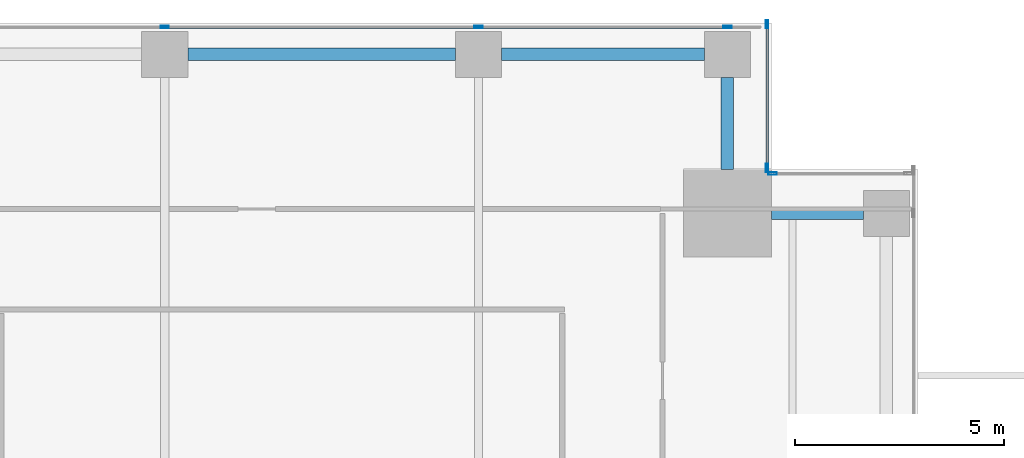
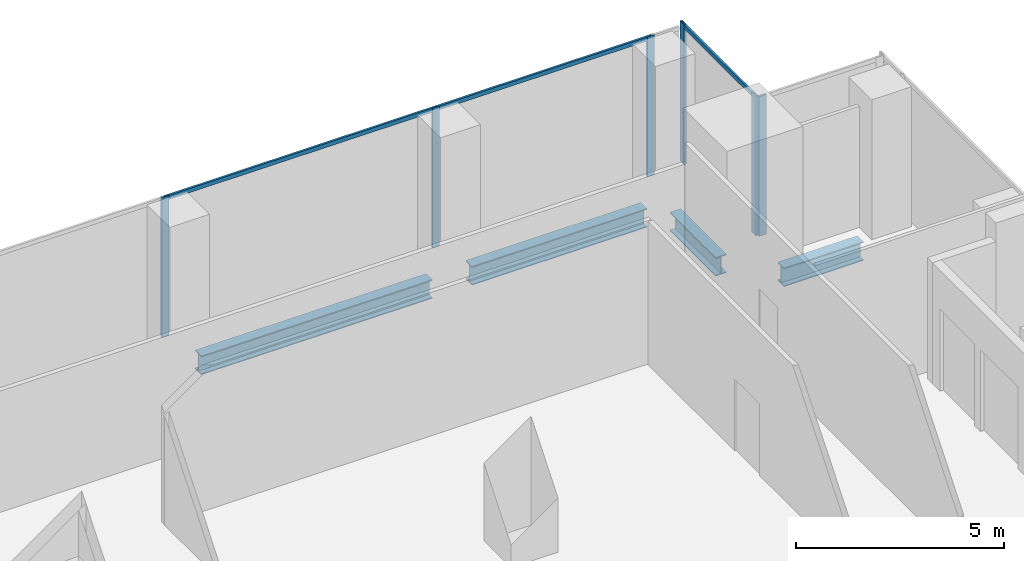
# One storey, part 20 of 35: 9 members, 4 beams, 3 elements without a shape of their own.
"""IFC4 building model written with IfcOpenShell, lengths in metres."""

import ifcopenshell
import ifcopenshell.guid

model = None  # the IFC model being written
_history = None  # IfcOwnerHistory: only IFC2X3 demands one
_inside = {}  # id of a spatial element -> (the spatial element, [elements in it])
_under = {}  # id of a project, library or spatial element -> (it, [spatial elements below it])
_declared = {}  # id of a project -> (the project, [libraries it declares])
_typed = {}  # id of a type object -> (the type object, [elements of that type])
_made_of = {}  # id of a material, layer set ... -> (it, [elements and type objects made of it])


def new_model(schema):
    """Start an empty IFC model of exactly this schema.

    Asked for "IFC4X3", IfcOpenShell would pick the latest addendum, in which some entities
    have other attributes; the version numbers below select the first issue.
    IFC2X3 requires an IfcOwnerHistory on every rooted entity: one is made here for all.
    """
    global model, _history
    if schema == "IFC4X3":
        model = ifcopenshell.file(schema_version=(4, 3, 0, 0))
    else:
        model = ifcopenshell.file(schema=schema)
    _inside.clear()
    _under.clear()
    _declared.clear()
    _typed.clear()
    _made_of.clear()
    _history = None
    if model.schema == "IFC2X3":
        org = make("IfcOrganization", Name="unknown")
        user = make(
            "IfcPersonAndOrganization",
            ThePerson=make("IfcPerson", FamilyName="unknown"),
            TheOrganization=org,
        )
        app = make(
            "IfcApplication",
            ApplicationDeveloper=org,
            Version="unknown",
            ApplicationFullName="unknown",
            ApplicationIdentifier="unknown",
        )
        _history = make(
            "IfcOwnerHistory",
            OwningUser=user,
            OwningApplication=app,
            ChangeAction="ADDED",
            CreationDate=0,
        )
    return model


def make(cls, **values):
    """One entity of the class cls with the attributes given. An attribute that is None is left unset."""
    return model.create_entity(
        cls, **{name: value for name, value in values.items() if value is not None}
    )


def rooted(cls, **values):
    """An entity with a GlobalId (a new one), such as an element, a storey or a relation."""
    return make(cls, GlobalId=ifcopenshell.guid.new(), OwnerHistory=_history, **values)


def si_unit(unit_type, name, prefix=None):
    """IfcSIUnit, for example si_unit("LENGTHUNIT", "METRE", prefix="MILLI")."""
    return make("IfcSIUnit", UnitType=unit_type, Prefix=prefix, Name=name)


def assignment(units):
    """IfcUnitAssignment: the units of a project."""
    return None if units is None else make("IfcUnitAssignment", Units=units)


def point(xyz):
    """IfcCartesianPoint."""
    return None if xyz is None else make("IfcCartesianPoint", Coordinates=xyz)


def direction(xyz):
    """IfcDirection."""
    return None if xyz is None else make("IfcDirection", DirectionRatios=xyz)


def frame(location, z_axis=None, x_axis=None):
    """IfcAxis2Placement3D, a coordinate frame: its origin and axes. An axis left out is left unset."""
    return make(
        "IfcAxis2Placement3D",
        Location=point(location),
        Axis=direction(z_axis),
        RefDirection=direction(x_axis),
    )


def frame_2d(location, x_axis=None):
    """IfcAxis2Placement2D, a coordinate frame in the plane: its origin and x axis."""
    return make(
        "IfcAxis2Placement2D", Location=point(location), RefDirection=direction(x_axis)
    )


def origin():
    """The frame at (0, 0, 0) with its axes left unset."""
    return frame((0.0, 0.0, 0.0))


def origin_2d():
    """The frame at (0, 0) in the plane with its x axis left unset."""
    return frame_2d((0.0, 0.0))


def place(relative_to, where):
    """IfcLocalPlacement: puts the frame where relative to a parent placement (None: the world)."""
    return make(
        "IfcLocalPlacement", PlacementRelTo=relative_to, RelativePlacement=where
    )


def context(
    kind, dimensions, precision=None, world=None, true_north=None, identifier=None
):
    """IfcGeometricRepresentationContext, for example the 3D "Model" context."""
    return make(
        "IfcGeometricRepresentationContext",
        ContextIdentifier=identifier,
        ContextType=kind,
        CoordinateSpaceDimension=dimensions,
        Precision=precision,
        WorldCoordinateSystem=world,
        TrueNorth=true_north,
    )


def subcontext(parent, identifier, kind, view, scale=None):
    """IfcGeometricRepresentationSubContext, for example "Body" below "Model"."""
    return make(
        "IfcGeometricRepresentationSubContext",
        ContextIdentifier=identifier,
        ContextType=kind,
        ParentContext=parent,
        TargetScale=scale,
        TargetView=view,
    )


def project(units=None, contexts=None):
    """IfcProject with its units and contexts."""
    return rooted(
        "IfcProject",
        Name="project",
        RepresentationContexts=contexts,
        UnitsInContext=assignment(units),
    )


def spatial(cls, under=None, at=None, **own):
    """A site, building, storey or space (cls), placed at a placement, below another one or the project."""
    s = rooted(cls, ObjectPlacement=at, **own)
    if under is not None:
        _under.setdefault(under.id(), (under, []))[1].append(s)
    return s


def profile(cls, at=None, kind="AREA", **sizes):
    """A parametric profile (cls). Its sizes go by their IFC names, for example OverallWidth=200.0."""
    return make(cls, ProfileType=kind, Position=at, **sizes)


def hollow_rectangle(**sizes):
    """IfcRectangleHollowProfileDef."""
    return profile("IfcRectangleHollowProfileDef", **sizes)


def i_section(**sizes):
    """IfcIShapeProfileDef."""
    return profile("IfcIShapeProfileDef", **sizes)


def extrude(swept, where, along, depth):
    """IfcExtrudedAreaSolid: the profile swept, set in the frame where, extruded along a direction by depth."""
    return make(
        "IfcExtrudedAreaSolid",
        SweptArea=swept,
        Position=where,
        ExtrudedDirection=direction(along),
        Depth=depth,
    )


def shape(context_of_items, identifier, shape_type, items):
    """IfcShapeRepresentation: the items that make up one representation, for example the "Body"."""
    return make(
        "IfcShapeRepresentation",
        ContextOfItems=context_of_items,
        RepresentationIdentifier=identifier,
        RepresentationType=shape_type,
        Items=items,
    )


def source(mapping_origin, context_of_items, identifier, shape_type, items):
    """IfcRepresentationMap: a shape defined once, which mapped items show again and again."""
    return make(
        "IfcRepresentationMap",
        MappingOrigin=mapping_origin,
        MappedRepresentation=shape(context_of_items, identifier, shape_type, items),
    )


def transform(
    local_origin,
    x_axis=None,
    y_axis=None,
    z_axis=None,
    scale=None,
    scale2=None,
    scale3=None,
    uniform=True,
):
    """IfcCartesianTransformationOperator3D, or its non-uniform kind. x_axis, y_axis, z_axis: its Axis1, 2, 3."""
    if uniform:
        return make(
            "IfcCartesianTransformationOperator3D",
            Axis1=direction(x_axis),
            Axis2=direction(y_axis),
            LocalOrigin=point(local_origin),
            Scale=scale,
            Axis3=direction(z_axis),
        )
    return make(
        "IfcCartesianTransformationOperator3DnonUniform",
        Axis1=direction(x_axis),
        Axis2=direction(y_axis),
        LocalOrigin=point(local_origin),
        Scale=scale,
        Axis3=direction(z_axis),
        Scale2=scale2,
        Scale3=scale3,
    )


def mapped(mapping_source, mapping_target):
    """IfcMappedItem: shows the shape of a source again, moved by a transform."""
    return make(
        "IfcMappedItem", MappingSource=mapping_source, MappingTarget=mapping_target
    )


def material(Name=None, Category=None):
    """IfcMaterial."""
    return make("IfcMaterial", Name=Name, Category=Category)


def material_profile(
    of_material, cross_section, Name=None, Category=None, Priority=None
):
    """IfcMaterialProfile: a cross section and its material."""
    return make(
        "IfcMaterialProfile",
        Name=Name,
        Material=of_material,
        Profile=cross_section,
        Priority=Priority,
        Category=Category,
    )


def profile_set(profiles, Name=None, composite=None):
    """IfcMaterialProfileSet."""
    return make(
        "IfcMaterialProfileSet",
        Name=Name,
        MaterialProfiles=profiles,
        CompositeProfile=composite,
    )


def made_of(thing, what):
    """Note that an element or type object is made of a material, layer set ...; save() writes the relation."""
    if what is not None:
        _made_of.setdefault(what.id(), (what, []))[1].append(thing)
    return thing


def type_object(cls, material=None, **own):
    """A type object (cls), such as IfcWallType, which elements share."""
    return made_of(rooted(cls, **own), material)


def element(
    cls,
    number,
    at=None,
    inside=None,
    cuts=None,
    type_object=None,
    material=None,
    context=None,
    identifier="Body",
    shape_type=None,
    held_by="IfcProductDefinitionShape",
    body=None,
    shapes=None,
    **own,
):
    """One element of the class cls, such as IfcWall. Its Tag is "e" and its number.

    at: its placement. inside: the storey or other place that contains it. cuts: it is an
    opening in that element (IfcRelVoidsElement). A single representation is given by context,
    identifier, shape_type and body (its items); several are given by shapes. held_by: the class
    of the entity that holds the representations. save() writes the other relations.
    """
    e = rooted(cls, Tag="e%d" % number, ObjectPlacement=at, **own)
    if body is not None:
        shapes = [shape(context, identifier, shape_type, body)]
    if shapes is not None:
        e.Representation = make(held_by, Representations=shapes)
    if inside is not None:
        _inside.setdefault(inside.id(), (inside, []))[1].append(e)
    if cuts is not None:
        rooted(
            "IfcRelVoidsElement", RelatingBuildingElement=cuts, RelatedOpeningElement=e
        )
    if type_object is not None:
        _typed.setdefault(type_object.id(), (type_object, []))[1].append(e)
    return made_of(e, material)


def aggregate(whole, parts):
    """IfcRelAggregates: a whole, such as a stair, and the parts it consists of."""
    return rooted("IfcRelAggregates", RelatingObject=whole, RelatedObjects=parts)


def save(model, path):
    """Write the relations noted so far, then the file.

    IfcRelAggregates (storeys below a building ...), IfcRelContainedInSpatialStructure (elements
    in a storey), IfcRelDefinesByType, IfcRelAssociatesMaterial and IfcRelDeclares: one each for
    every whole, place, type object, material and project.
    """
    for whole, parts in _under.values():
        aggregate(whole, parts)
    for where, things in _inside.values():
        rooted(
            "IfcRelContainedInSpatialStructure",
            RelatedElements=things,
            RelatingStructure=where,
        )
    for kind, things in _typed.values():
        rooted("IfcRelDefinesByType", RelatedObjects=things, RelatingType=kind)
    for what, things in _made_of.values():
        rooted("IfcRelAssociatesMaterial", RelatedObjects=things, RelatingMaterial=what)
    for by, libraries in _declared.values():
        rooted("IfcRelDeclares", RelatingContext=by, RelatedDefinitions=libraries)
    model.write(path)


model = new_model("IFC4")

# Units and contexts
model_context = context("Model", 3, precision=1e-05, world=origin(), true_north=direction((0.0, 1.0)))
body_context = subcontext(model_context, "Body", "Model", "MODEL_VIEW")
ifc_project = project(units=[si_unit("LENGTHUNIT", "METRE"), si_unit("AREAUNIT", "SQUARE_METRE"), si_unit("VOLUMEUNIT", "CUBIC_METRE"), si_unit("PLANEANGLEUNIT", "RADIAN"), si_unit("MASSUNIT", "GRAM", prefix="KILO")], contexts=[model_context])

# Site, building, storey
site_placement = place(None, origin())
site = spatial("IfcSite", under=ifc_project, at=site_placement, CompositionType="ELEMENT")
building_placement = place(site_placement, origin())
building = spatial("IfcBuilding", under=site, at=building_placement, Name="Khomas Fold Tower", CompositionType="ELEMENT")
storey_placement = place(building_placement, frame((0.0, 0.0, 136.699951171875)))
storey = spatial("IfcBuildingStorey", under=building, at=storey_placement, Name="L29", CompositionType="ELEMENT", Elevation=136.699951171875)

# Beams
ifc_material_1 = material(Name="Steel S355", Category="steel")
ifc_material_profile_1 = material_profile(ifc_material_1, i_section(OverallWidth=0.300048828125, OverallDepth=0.550048828125, WebThickness=0.014892578125, FlangeThickness=0.029052734375, at=origin_2d()), Name="HE 550 B")
ifc_profile_set_1 = profile_set([ifc_material_profile_1], Name="Steel S355")
beam_type = type_object("IfcBeamType", Name="HE 550 B spandrel SB2", PredefinedType="SPANDREL", material=ifc_profile_set_1)
shared_shape_1 = source(origin(), body_context, "Body", "SweptSolid", [
    extrude(i_section(OverallWidth=0.300048828125, OverallDepth=0.550048828125, WebThickness=0.014892578125, FlangeThickness=0.029052734375, at=origin_2d()), origin(), (0.0, 0.0, 1.0), 4.849853515625),
])
beam_1_placement = place(storey_placement, frame((42.550048828125, 51.75, -0.574951171875), z_axis=(1.0, 0.0, 0.0), x_axis=(0.0, 1.0, 0.0)))
element("IfcBeam", 1, at=beam_1_placement, inside=storey, type_object=beam_type, Name="SB2", PredefinedType="SPANDREL", context=body_context, shape_type="MappedRepresentation", body=[
    mapped(shared_shape_1, transform((0.0, 0.0, 0.0))),
])
shared_shape_2 = source(origin(), body_context, "Body", "SweptSolid", [
    extrude(i_section(OverallWidth=0.300048828125, OverallDepth=0.550048828125, WebThickness=0.014892578125, FlangeThickness=0.029052734375, at=origin_2d()), origin(), (0.0, 0.0, 1.0), 6.39990234375),
])
beam_2_placement = place(storey_placement, frame((35.050048828125, 51.75, -0.574951171875), z_axis=(1.0, 0.0, 0.0), x_axis=(0.0, 1.0, 0.0)))
element("IfcBeam", 2, at=beam_2_placement, inside=storey, type_object=beam_type, Name="SB2", PredefinedType="SPANDREL", context=body_context, shape_type="MappedRepresentation", body=[
    mapped(shared_shape_2, transform((0.0, 0.0, 0.0))),
])
shared_shape_3 = source(origin(), body_context, "Body", "SweptSolid", [
    extrude(i_section(OverallWidth=0.300048828125, OverallDepth=0.550048828125, WebThickness=0.014892578125, FlangeThickness=0.029052734375, at=origin_2d()), origin(), (0.0, 0.0, 1.0), 2.199951171875),
])
for number, where, z_axis, x_axis, name in (
    (3, (49.0, 47.949951171875, -0.574951171875), (1.0, 0.0, 0.0), (0.0, 1.0, 0.0), "SB2"),
    (4, (47.949951171875, 49.0, -0.574951171875), (0.0, 1.0, 0.0), (-1.0, 0.0, 0.0), "SB2"),
):
    element("IfcBeam", number, at=place(storey_placement, frame(where, z_axis=z_axis, x_axis=x_axis)), inside=storey, type_object=beam_type, Name=name, PredefinedType="SPANDREL", context=body_context, shape_type="MappedRepresentation", body=[
        mapped(shared_shape_3, transform((0.0, 0.0, 0.0))),
    ])

# Curtain wall, member
ifc_material_2 = material(Name="Aluminium framed double glazing", Category="aluminium")
curtain_wall_type = type_object("IfcCurtainWallType", Name="SK-Unitised clear-glass wall, growing floors CW1", PredefinedType="NOTDEFINED", material=ifc_material_2)
curtain_wall_1_placement = place(storey_placement, origin())
curtain_wall_1 = element("IfcCurtainWall", 5, at=curtain_wall_1_placement, inside=storey, type_object=curtain_wall_type, Name="CW1 run L29 06-0", PredefinedType="NOTDEFINED")
ifc_material_3 = material(Name="Aluminium", Category="aluminium")
ifc_material_profile_2 = material_profile(ifc_material_3, hollow_rectangle(XDim=0.06005859375, YDim=0.1201171875, WallThickness=0.00390625, at=origin_2d()), Name="SK-Unitised clear-glass wall, growing floors transom CW1-T")
ifc_profile_set_2 = profile_set([ifc_material_profile_2], Name="Aluminium")
member_type_1 = type_object("IfcMemberType", Name="SK-Unitised clear-glass wall, growing floors transom CW1-T", PredefinedType="USERDEFINED", material=ifc_profile_set_2)
shared_shape_4 = source(origin(), body_context, "Body", "SweptSolid", [
    extrude(hollow_rectangle(XDim=0.06005859375, YDim=0.1201171875, WallThickness=0.00390625, at=origin_2d()), origin(), (0.0, 0.0, 1.0), 7.43994140625),
])
member_1_placement = place(storey_placement, frame((41.969970703125, 52.39990234375, 4.0400390625), z_axis=(-1.0, 0.0, 0.0), x_axis=(0.0, -1.0, 0.0)))
member_1 = element("IfcMember", 6, at=member_1_placement, type_object=member_type_1, Name="CW1 transom 3", ObjectType="TRANSOM", PredefinedType="USERDEFINED", context=body_context, shape_type="MappedRepresentation", body=[
    mapped(shared_shape_4, transform((0.0, 0.0, 0.0))),
])

curtain_wall_2_placement = place(storey_placement, origin())
curtain_wall_2 = element("IfcCurtainWall", 7, at=curtain_wall_2_placement, inside=storey, type_object=curtain_wall_type, Name="CW1 corner return L29 04", PredefinedType="NOTDEFINED")
ifc_material_4 = material(Name="Aluminium", Category="aluminium")
ifc_material_profile_3 = material_profile(ifc_material_4, hollow_rectangle(XDim=0.06005859375, YDim=0.199951171875, WallThickness=0.00390625, at=origin_2d()), Name="SK-Unitised clear-glass wall, growing floors mullion CW1-M")
ifc_profile_set_3 = profile_set([ifc_material_profile_3], Name="Aluminium")
member_type_2 = type_object("IfcMemberType", Name="SK-Unitised clear-glass wall, growing floors mullion CW1-M", PredefinedType="MULLION", material=ifc_profile_set_3)
shared_shape_5 = source(origin(), body_context, "Body", "SweptSolid", [
    extrude(hollow_rectangle(XDim=0.06005859375, YDim=0.199951171875, WallThickness=0.00390625, at=origin_2d()), origin(), (0.0, 0.0, 1.0), 4.10009765625),
])
member_2_placement = place(storey_placement, frame((49.030029296875, 48.89990234375, 0.0), z_axis=(0.0, 0.0, 1.0), x_axis=(0.0, -1.0, 0.0)))
member_2 = element("IfcMember", 8, at=member_2_placement, type_object=member_type_2, Name="CW1 mullion 2", PredefinedType="MULLION", context=body_context, shape_type="MappedRepresentation", body=[
    mapped(shared_shape_5, transform((0.0, 0.0, 0.0))),
])
aggregate(curtain_wall_2, [member_2])

# Curtain wall, members
curtain_wall_3_placement = place(storey_placement, origin())
curtain_wall_3 = element("IfcCurtainWall", 9, at=curtain_wall_3_placement, inside=storey, type_object=curtain_wall_type, Name="CW1 corner return L29 05", PredefinedType="NOTDEFINED")
member_3_placement = place(storey_placement, frame((48.89990234375, 49.030029296875, 0.0), z_axis=(0.0, 0.0, 1.0), x_axis=(-1.0, 0.0, 0.0)))
member_3 = element("IfcMember", 10, at=member_3_placement, type_object=member_type_2, Name="CW1 mullion 1", PredefinedType="MULLION", context=body_context, shape_type="MappedRepresentation", body=[
    mapped(shared_shape_5, transform((0.0, 0.0, 0.0))),
])
member_4_placement = place(storey_placement, frame((48.89990234375, 52.469970703125, 0.0), z_axis=(0.0, 0.0, 1.0), x_axis=(-1.0, 0.0, 0.0)))
member_4 = element("IfcMember", 11, at=member_4_placement, type_object=member_type_2, Name="CW1 mullion 2", PredefinedType="MULLION", context=body_context, shape_type="MappedRepresentation", body=[
    mapped(shared_shape_5, transform((0.0, 0.0, 0.0))),
])

# Member
member_5_placement = place(storey_placement, frame((47.949951171875, 52.39990234375, 0.0), z_axis=(0.0, 0.0, 1.0), x_axis=(0.0, -1.0, 0.0)))
member_5 = element("IfcMember", 12, at=member_5_placement, type_object=member_type_2, Name="CW1 mullion 2", PredefinedType="MULLION", context=body_context, shape_type="MappedRepresentation", body=[
    mapped(shared_shape_5, transform((0.0, 0.0, 0.0))),
])

member_6_placement = place(storey_placement, frame((42.0, 52.39990234375, 0.0), z_axis=(0.0, 0.0, 1.0), x_axis=(0.0, -1.0, 0.0)))
member_6 = element("IfcMember", 13, at=member_6_placement, type_object=member_type_2, Name="CW1 mullion 3", PredefinedType="MULLION", context=body_context, shape_type="MappedRepresentation", body=[
    mapped(shared_shape_5, transform((0.0, 0.0, 0.0))),
])

member_7_placement = place(storey_placement, frame((34.5, 52.39990234375, 0.0), z_axis=(0.0, 0.0, 1.0), x_axis=(0.0, -1.0, 0.0)))
member_7 = element("IfcMember", 14, at=member_7_placement, type_object=member_type_2, Name="CW1 mullion 4", PredefinedType="MULLION", context=body_context, shape_type="MappedRepresentation", body=[
    mapped(shared_shape_5, transform((0.0, 0.0, 0.0))),
])

shared_shape_6 = source(origin(), body_context, "Body", "SweptSolid", [
    extrude(hollow_rectangle(XDim=0.06005859375, YDim=0.1201171875, WallThickness=0.00390625, at=origin_2d()), origin(), (0.0, 0.0, 1.0), 5.889892578125),
])
member_8_placement = place(storey_placement, frame((47.919921875, 52.39990234375, 4.0400390625), z_axis=(-1.0, 0.0, 0.0), x_axis=(0.0, -1.0, 0.0)))
member_8 = element("IfcMember", 15, at=member_8_placement, type_object=member_type_1, Name="CW1 transom 2", ObjectType="TRANSOM", PredefinedType="USERDEFINED", context=body_context, shape_type="MappedRepresentation", body=[
    mapped(shared_shape_6, transform((0.0, 0.0, 0.0))),
])

aggregate(curtain_wall_1, [member_5, member_6, member_7, member_8, member_1])

shared_shape_7 = source(origin(), body_context, "Body", "SweptSolid", [
    extrude(hollow_rectangle(XDim=0.06005859375, YDim=0.1201171875, WallThickness=0.00390625, at=origin_2d()), origin(), (0.0, 0.0, 1.0), 3.3798828125),
])
member_9_placement = place(storey_placement, frame((48.89990234375, 49.06005859375, 4.0400390625), z_axis=(0.0, 1.0, 0.0), x_axis=(-1.0, 0.0, 0.0)))
member_9 = element("IfcMember", 16, at=member_9_placement, type_object=member_type_1, Name="CW1 transom 1", ObjectType="TRANSOM", PredefinedType="USERDEFINED", context=body_context, shape_type="MappedRepresentation", body=[
    mapped(shared_shape_7, transform((0.0, 0.0, 0.0))),
])

aggregate(curtain_wall_3, [member_3, member_4, member_9])

save(model, "model.ifc")
